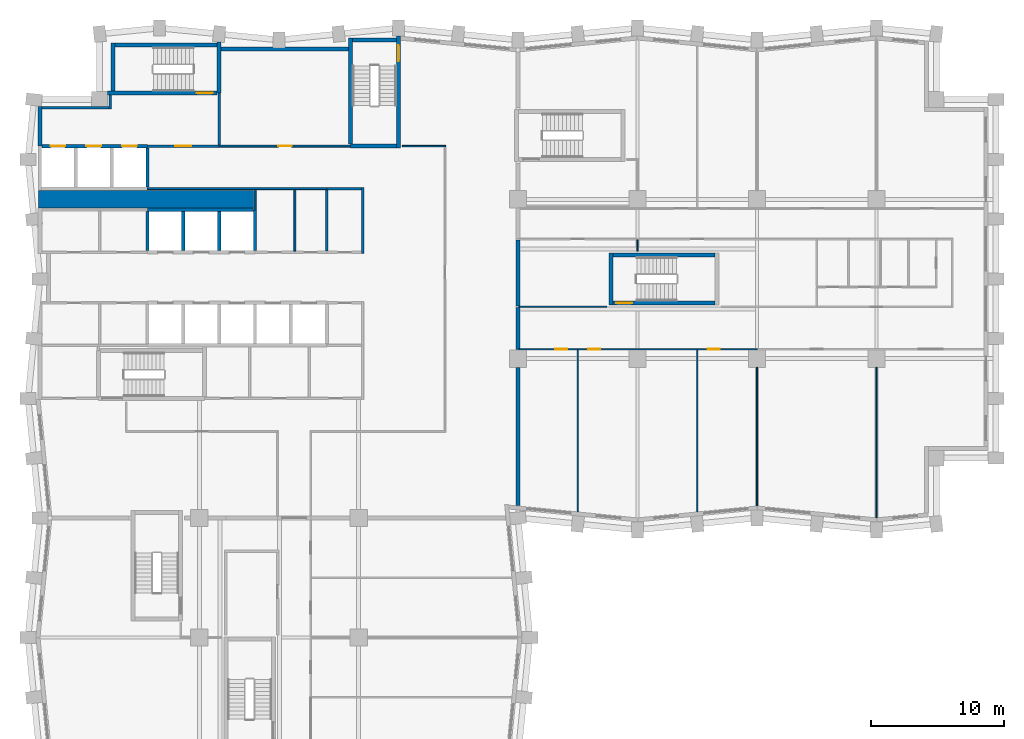
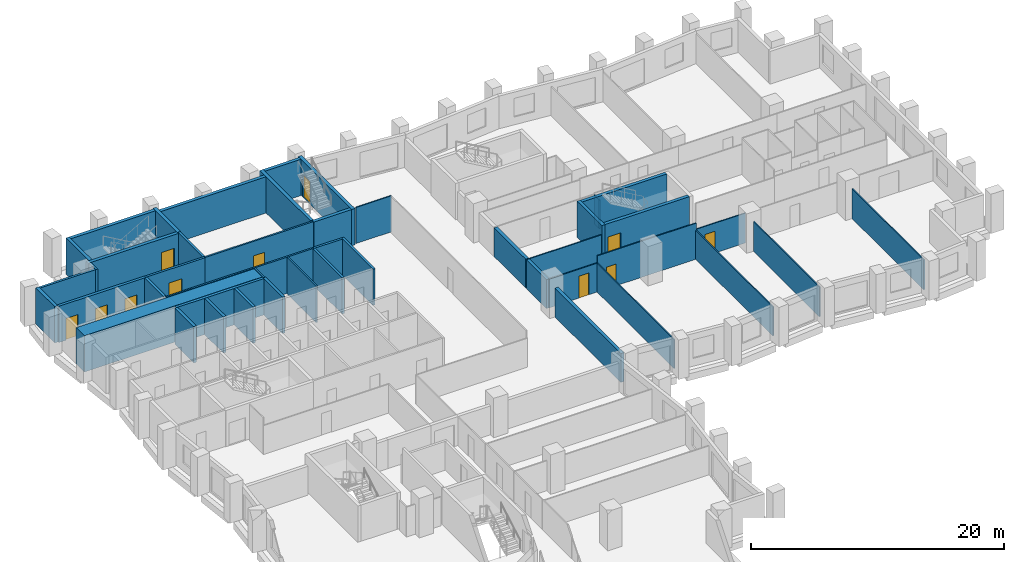
# One storey, part 6 of 11: 45 walls, 11 doors, 11 openings.
"""IFC4 building model written with IfcOpenShell, lengths in metres."""

from ifc_helpers import new_model, si_unit, direction, frame, frame_2d, origin, place, context, subcontext, project, spatial, rectangle, extrude, material, layer, layer_set, type_object, element, fill, save


model = new_model("IFC4")

# Units and contexts
model_context = context("Model", 3, precision=1e-05, world=origin(), true_north=direction((0.0, 1.0)))
body_context = subcontext(model_context, "Body", "Model", "MODEL_VIEW")
ifc_project = project(units=[si_unit("LENGTHUNIT", "METRE"), si_unit("AREAUNIT", "SQUARE_METRE"), si_unit("VOLUMEUNIT", "CUBIC_METRE"), si_unit("PLANEANGLEUNIT", "RADIAN"), si_unit("MASSUNIT", "GRAM", prefix="KILO")], contexts=[model_context])

# Site, building, storey
site_placement = place(None, origin())
site = spatial("IfcSite", under=ifc_project, at=site_placement, CompositionType="ELEMENT")
building_placement = place(site_placement, origin())
building = spatial("IfcBuilding", under=site, at=building_placement, Name="Brondeck Convention Tower", CompositionType="ELEMENT")
storey_placement = place(building_placement, frame((0.0, 0.0, 126.5)))
storey = spatial("IfcBuildingStorey", under=building, at=storey_placement, Name="L30", CompositionType="ELEMENT", Elevation=126.5)

# Walls
ifc_material_1 = material(Name="Concrete compartment wall C30/37", Category="concrete")
ifc_layer_1 = layer(ifc_material_1, 0.300048828125)
ifc_layer_set_1 = layer_set([ifc_layer_1], Name="Compartment wall 300")
wall_type_1 = type_object("IfcWallType", Name="Compartment wall 300", PredefinedType="PARTITIONING", material=ifc_layer_set_1)
wall_1_placement = place(storey_placement, frame((36.0, 27.924560546875, 0.0), z_axis=(0.0, 0.0, 1.0), x_axis=(0.0, 1.0, 0.0)))
element("IfcWall", 1, at=wall_1_placement, inside=storey, type_object=wall_type_1, Name="FLR-L30-W026", PredefinedType="PARTITIONING", context=body_context, shape_type="SweptSolid", body=[
    extrude(rectangle(XDim=10.42041015625, YDim=0.300048828125, at=frame_2d((5.210205078125, 0.0))), origin(), (0.0, 0.0, 1.0), 2.780029296875),
])
wall_2_placement = place(storey_placement, frame((36.0, 39.669921875, 0.0), z_axis=(0.0, 0.0, 1.0), x_axis=(0.0, 1.0, 0.0)))
element("IfcWall", 2, at=wall_2_placement, inside=storey, type_object=wall_type_1, Name="FLR-L30-W040", PredefinedType="PARTITIONING", context=body_context, shape_type="SweptSolid", body=[
    extrude(rectangle(XDim=3.18017578125, YDim=0.300048828125, at=frame_2d((1.590087890625, 0.0))), origin(), (0.0, 0.0, 1.0), 2.780029296875),
])
wall_3_placement = place(storey_placement, frame((36.0, 42.949951171875, 0.0), z_axis=(0.0, 0.0, 1.0), x_axis=(0.0, 1.0, 0.0)))
element("IfcWall", 3, at=wall_3_placement, inside=storey, type_object=wall_type_1, Name="FLR-L30-W044", PredefinedType="PARTITIONING", context=body_context, shape_type="SweptSolid", body=[
    extrude(rectangle(XDim=5.0, YDim=0.300048828125, at=frame_2d((2.5, 0.0))), origin(), (0.0, 0.0, 1.0), 2.780029296875),
])
ifc_material_2 = material(Name="Concrete C70/85", Category="concrete")
ifc_layer_2 = layer(ifc_material_2, 0.199951171875)
ifc_layer_set_2 = layer_set([ifc_layer_2], Name="Core beam-seat wall 200 Concrete C70/85")
wall_type_2 = type_object("IfcWallType", Name="Core beam-seat wall 200 Concrete C70/85", PredefinedType="SHEAR", material=ifc_layer_set_2)
wall_4_placement = place(storey_placement, frame((24.300048828125, 46.89990234375, 0.0), z_axis=(0.0, 0.0, 1.0), x_axis=(0.0, 1.0, 0.0)))
element("IfcWall", 4, at=wall_4_placement, inside=storey, type_object=wall_type_2, Name="L30 core wall", PredefinedType="SHEAR", context=body_context, shape_type="SweptSolid", body=[
    extrude(rectangle(XDim=5.0, YDim=0.199951171875, at=frame_2d((2.5, 0.0))), origin(), (0.0, 0.0, 1.0), 3.5),
])
ifc_layer_3 = layer(ifc_material_2, 0.300048828125)
ifc_layer_set_3 = layer_set([ifc_layer_3], Name="Core outer wall 300 Concrete C70/85")
wall_type_3 = type_object("IfcWallType", Name="Core outer wall 300 Concrete C70/85", PredefinedType="SHEAR", material=ifc_layer_set_3)
wall_5_placement = place(storey_placement, frame((13.64990234375, 62.300048828125, 0.0), z_axis=(0.0, 0.0, 1.0), x_axis=(1.0, 0.0, 0.0)))
element("IfcWall", 5, at=wall_5_placement, inside=storey, type_object=wall_type_3, Name="L30 core wall", PredefinedType="SHEAR", context=body_context, shape_type="SweptSolid", body=[
    extrude(rectangle(XDim=9.60009765625, YDim=0.300048828125, at=frame_2d((4.800048828125, 0.0))), origin(), (0.0, 0.0, 1.0), 3.5),
])
wall_6_placement = place(storey_placement, frame((0.0, 55.0, 0.0), z_axis=(0.0, 0.0, 1.0), x_axis=(0.0, 1.0, 0.0)))
element("IfcWall", 6, at=wall_6_placement, inside=storey, type_object=wall_type_3, Name="L30 core wall", PredefinedType="SHEAR", context=body_context, shape_type="SweptSolid", body=[
    extrude(rectangle(XDim=3.0, YDim=0.300048828125, at=frame_2d((1.5, 0.0))), origin(), (0.0, 0.0, 1.0), 3.5),
])
ifc_material_3 = material(Name="Fire-rated gypsum board partition")
ifc_layer_4 = layer(ifc_material_3, 0.14990234375)
ifc_layer_set_4 = layer_set([ifc_layer_4], Name="Core partition 150 EI 60")
wall_type_4 = type_object("IfcWallType", Name="Core partition 150 EI 60", PredefinedType="PARTITIONING", material=ifc_layer_set_4)
wall_7_placement = place(storey_placement, frame((8.10009765625, 51.800048828125, 0.0), z_axis=(0.0, 0.0, 1.0), x_axis=(1.0, 0.0, 0.0)))
element("IfcWall", 7, at=wall_7_placement, inside=storey, type_object=wall_type_4, Name="L30 core wall", PredefinedType="PARTITIONING", context=body_context, shape_type="SweptSolid", body=[
    extrude(rectangle(XDim=13.5, YDim=0.14990234375, at=frame_2d((6.75, 0.0))), origin(), (0.0, 0.0, 1.0), 3.5),
])

# Wall, opening, door
wall_8_placement = place(storey_placement, frame((13.5, 55.0, 0.0), z_axis=(0.0, 0.0, 1.0), x_axis=(1.0, 0.0, 0.0)))
wall_8 = element("IfcWall", 8, at=wall_8_placement, inside=storey, type_object=wall_type_4, Name="L30 core wall", PredefinedType="PARTITIONING", context=body_context, shape_type="SweptSolid", body=[
    extrude(rectangle(XDim=9.89990234375, YDim=0.14990234375, at=frame_2d((4.949951171875, 0.0))), origin(), (0.0, 0.0, 1.0), 3.5),
])
opening_1_placement = place(wall_8_placement, frame((4.449951171875, 0.0, 0.0)))
opening_1 = element("IfcOpeningElement", 9, at=opening_1_placement, cuts=wall_8, Name="Opening C17-14", PredefinedType="OPENING", context=body_context, shape_type="SweptSolid", body=[
    extrude(rectangle(XDim=1.0, YDim=2.10009765625, at=frame_2d((0.5, 1.050048828125))), frame((0.0, 0.0849609375, 0.0), z_axis=(0.0, -1.0, 0.0), x_axis=(1.0, 0.0, 0.0)), (0.0, 0.0, 1.0), 0.169921875),
])
ifc_material_4 = material(Name="Steel fire door", Category="steel")
door_type_1 = type_object("IfcDoorType", Name="Room door 1000x2100 EI 60", OperationType="NOTDEFINED", PredefinedType="DOOR", material=ifc_material_4)
door_1_placement = place(opening_1_placement, origin())
door_1 = element("IfcDoor", 10, at=door_1_placement, inside=storey, type_object=door_type_1, Name="L30 Room door NE-1", OperationType="SINGLE_SWING_LEFT", OverallHeight=2.10009765625, OverallWidth=1.0, PredefinedType="DOOR", context=body_context, shape_type="SweptSolid", body=[
    extrude(rectangle(XDim=1.0, YDim=2.10009765625, at=frame_2d((0.5, 1.050048828125))), frame((0.0, 0.02490234375, 0.0), z_axis=(0.0, -1.0, 0.0), x_axis=(1.0, 0.0, 0.0)), (0.0, 0.0, 1.0), 0.050048828125),
])
fill(opening_1, door_1)

# Walls
wall_9_placement = place(storey_placement, frame((16.199951171875, 50.199951171875, 0.0), z_axis=(0.0, 0.0, 1.0), x_axis=(0.0, 1.0, 0.0)))
element("IfcWall", 11, at=wall_9_placement, inside=storey, type_object=wall_type_4, Name="L30 core wall", PredefinedType="PARTITIONING", context=body_context, shape_type="SweptSolid", body=[
    extrude(rectangle(XDim=1.525146484375, YDim=0.14990234375, at=frame_2d((0.7626953125, 0.0))), origin(), (0.0, 0.0, 1.0), 3.5),
])
wall_10_placement = place(storey_placement, frame((19.199951171875, 47.10009765625, 0.0), z_axis=(0.0, 0.0, 1.0), x_axis=(0.0, 1.0, 0.0)))
element("IfcWall", 12, at=wall_10_placement, inside=storey, type_object=wall_type_4, Name="L30 core wall", PredefinedType="PARTITIONING", context=body_context, shape_type="SweptSolid", body=[
    extrude(rectangle(XDim=4.625, YDim=0.14990234375, at=frame_2d((2.3125, 0.0))), origin(), (0.0, 0.0, 1.0), 3.5),
])
ifc_layer_5 = layer(ifc_material_2, 1.300048828125)
ifc_layer_set_5 = layer_set([ifc_layer_5], Name="Core shear wall 1300 Concrete C70/85")
wall_type_5 = type_object("IfcWallType", Name="Core shear wall 1300 Concrete C70/85", PredefinedType="SHEAR", material=ifc_layer_set_5)
wall_11_placement = place(storey_placement, frame((-0.125, 51.0, 0.0), z_axis=(0.0, 0.0, 1.0), x_axis=(1.0, 0.0, 0.0)))
element("IfcWall", 13, at=wall_11_placement, inside=storey, type_object=wall_type_5, Name="L30 core wall", PredefinedType="SHEAR", context=body_context, shape_type="SweptSolid", body=[
    extrude(rectangle(XDim=16.22509765625, YDim=1.300048828125, at=frame_2d((8.112548828125, 0.0))), origin(), (0.0, 0.0, 1.0), 3.5),
])

# Wall, opening, door
ifc_layer_6 = layer(ifc_material_3, 0.199951171875)
ifc_layer_set_6 = layer_set([ifc_layer_6], Name="Firefighting lobby wall 200 EI 120")
wall_type_6 = type_object("IfcWallType", Name="Firefighting lobby wall 200 EI 120", PredefinedType="PARTITIONING", material=ifc_layer_set_6)
wall_12_placement = place(storey_placement, frame((8.10009765625, 55.0, 0.0), z_axis=(0.0, 0.0, 1.0), x_axis=(1.0, 0.0, 0.0)))
wall_12 = element("IfcWall", 14, at=wall_12_placement, inside=storey, type_object=wall_type_6, Name="L30 core wall", PredefinedType="PARTITIONING", context=body_context, shape_type="SweptSolid", body=[
    extrude(rectangle(XDim=5.39990234375, YDim=0.199951171875, at=frame_2d((2.699951171875, 0.0))), origin(), (0.0, 0.0, 1.0), 3.5),
])
opening_2_placement = place(wall_12_placement, frame((2.10009765625, 0.0, 0.0)))
opening_2 = element("IfcOpeningElement", 15, at=opening_2_placement, cuts=wall_12, Name="Opening C17-01", PredefinedType="OPENING", context=body_context, shape_type="SweptSolid", body=[
    extrude(rectangle(XDim=1.199951171875, YDim=2.199951171875, at=frame_2d((0.60009765625, 1.10009765625))), frame((0.0, 0.10986328125, 0.0), z_axis=(0.0, -1.0, 0.0), x_axis=(1.0, 0.0, 0.0)), (0.0, 0.0, 1.0), 0.219970703125),
])
door_type_2 = type_object("IfcDoorType", Name="Firefighting lobby door 1200x2200 EI 120", OperationType="NOTDEFINED", PredefinedType="DOOR", material=ifc_material_4)
door_2_placement = place(opening_2_placement, origin())
door_2 = element("IfcDoor", 16, at=door_2_placement, inside=storey, type_object=door_type_2, Name="L30 Firefighting lobby door FFL-1", OperationType="SINGLE_SWING_RIGHT", OverallHeight=2.199951171875, OverallWidth=1.199951171875, PredefinedType="DOOR", context=body_context, shape_type="SweptSolid", body=[
    extrude(rectangle(XDim=1.199951171875, YDim=2.199951171875, at=frame_2d((0.60009765625, 1.10009765625))), frame((0.0, 0.02490234375, 0.0), z_axis=(0.0, -1.0, 0.0), x_axis=(1.0, 0.0, 0.0)), (0.0, 0.0, 1.0), 0.050048828125),
])
fill(opening_2, door_2)

# Walls
wall_13_placement = place(storey_placement, frame((0.14990234375, 57.89990234375, 0.0), z_axis=(0.0, 0.0, 1.0), x_axis=(1.0, 0.0, 0.0)))
element("IfcWall", 17, at=wall_13_placement, inside=storey, type_object=wall_type_6, Name="L30 core wall", PredefinedType="PARTITIONING", context=body_context, shape_type="SweptSolid", body=[
    extrude(rectangle(XDim=5.050048828125, YDim=0.199951171875, at=frame_2d((2.52490234375, 0.0))), origin(), (0.0, 0.0, 1.0), 3.5),
])
wall_14_placement = place(storey_placement, frame((5.300048828125, 57.800048828125, 0.0), z_axis=(0.0, 0.0, 1.0), x_axis=(0.0, 1.0, 0.0)))
element("IfcWall", 18, at=wall_14_placement, inside=storey, type_object=wall_type_6, Name="L30 core wall", PredefinedType="PARTITIONING", context=body_context, shape_type="SweptSolid", body=[
    extrude(rectangle(XDim=1.050048828125, YDim=0.199951171875, at=frame_2d((0.52490234375, 0.0))), origin(), (0.0, 0.0, 1.0), 3.5),
])
wall_15_placement = place(storey_placement, frame((13.5, 55.10009765625, 0.0), z_axis=(0.0, 0.0, 1.0), x_axis=(0.0, 1.0, 0.0)))
element("IfcWall", 19, at=wall_15_placement, inside=storey, type_object=wall_type_6, Name="L30 core wall", PredefinedType="PARTITIONING", context=body_context, shape_type="SweptSolid", body=[
    extrude(rectangle(XDim=3.89990234375, YDim=0.199951171875, at=frame_2d((1.949951171875, 0.0))), origin(), (0.0, 0.0, 1.0), 3.5),
])
ifc_layer_7 = layer(ifc_material_2, 0.25)
ifc_layer_set_7 = layer_set([ifc_layer_7], Name="Lift shaft wall 250 Concrete C70/85")
wall_type_7 = type_object("IfcWallType", Name="Lift shaft wall 250 Concrete C70/85", PredefinedType="SHEAR", material=ifc_layer_set_7)
wall_16_placement = place(storey_placement, frame((8.10009765625, 50.199951171875, 0.0), z_axis=(0.0, 0.0, 1.0), x_axis=(1.0, 0.0, 0.0)))
element("IfcWall", 20, at=wall_16_placement, inside=storey, type_object=wall_type_7, Name="L30 core wall", PredefinedType="SHEAR", context=body_context, shape_type="SweptSolid", body=[
    extrude(rectangle(XDim=7.974853515625, YDim=0.25, at=frame_2d((3.9873046875, 0.0))), origin(), (0.0, 0.0, 1.0), 3.5),
])

# Wall, openings, doors
wall_17_placement = place(storey_placement, frame((0.14990234375, 55.0, 0.0), z_axis=(0.0, 0.0, 1.0), x_axis=(1.0, 0.0, 0.0)))
wall_17 = element("IfcWall", 21, at=wall_17_placement, inside=storey, type_object=wall_type_7, Name="L30 core wall", PredefinedType="SHEAR", context=body_context, shape_type="SweptSolid", body=[
    extrude(rectangle(XDim=7.9501953125, YDim=0.25, at=frame_2d((3.97509765625, 0.0))), origin(), (0.0, 0.0, 1.0), 3.5),
])
opening_3_placement = place(wall_17_placement, frame((0.64990234375, 0.0, 0.0)))
opening_3 = element("IfcOpeningElement", 22, at=opening_3_placement, cuts=wall_17, Name="Opening C17-22", PredefinedType="OPENING", context=body_context, shape_type="SweptSolid", body=[
    extrude(rectangle(XDim=1.10009765625, YDim=2.10009765625, at=frame_2d((0.550048828125, 1.050048828125))), frame((0.0, 0.135009765625, 0.0), z_axis=(0.0, -1.0, 0.0), x_axis=(1.0, 0.0, 0.0)), (0.0, 0.0, 1.0), 0.27001953125),
])
opening_4_placement = place(wall_17_placement, frame((3.35009765625, 0.0, 0.0)))
opening_4 = element("IfcOpeningElement", 23, at=opening_4_placement, cuts=wall_17, Name="Opening C17-23", PredefinedType="OPENING", context=body_context, shape_type="SweptSolid", body=[
    extrude(rectangle(XDim=1.10009765625, YDim=2.10009765625, at=frame_2d((0.550048828125, 1.050048828125))), frame((0.0, 0.135009765625, 0.0), z_axis=(0.0, -1.0, 0.0), x_axis=(1.0, 0.0, 0.0)), (0.0, 0.0, 1.0), 0.27001953125),
])
opening_5_placement = place(wall_17_placement, frame((6.050048828125, 0.0, 0.0)))
opening_5 = element("IfcOpeningElement", 24, at=opening_5_placement, cuts=wall_17, Name="Opening C17-24", PredefinedType="OPENING", context=body_context, shape_type="SweptSolid", body=[
    extrude(rectangle(XDim=1.10009765625, YDim=2.10009765625, at=frame_2d((0.550048828125, 1.050048828125))), frame((0.0, 0.135009765625, 0.0), z_axis=(0.0, -1.0, 0.0), x_axis=(1.0, 0.0, 0.0)), (0.0, 0.0, 1.0), 0.27001953125),
])
ifc_material_5 = material(Name="Stainless steel lift door", Category="steel")
door_type_3 = type_object("IfcDoorType", Name="Lift landing door 1100x2100 EI 180", OperationType="DOUBLE_DOOR_SLIDING", PredefinedType="DOOR", material=ifc_material_5)
door_3_placement = place(opening_3_placement, origin())
door_3 = element("IfcDoor", 25, at=door_3_placement, inside=storey, type_object=door_type_3, Name="L30 Lift landing door FF1", OperationType="DOUBLE_DOOR_SLIDING", OverallHeight=2.10009765625, OverallWidth=1.10009765625, PredefinedType="DOOR", context=body_context, shape_type="SweptSolid", body=[
    extrude(rectangle(XDim=1.10009765625, YDim=2.10009765625, at=frame_2d((0.550048828125, 1.050048828125))), frame((0.0, 0.02490234375, 0.0), z_axis=(0.0, -1.0, 0.0), x_axis=(1.0, 0.0, 0.0)), (0.0, 0.0, 1.0), 0.050048828125),
])
fill(opening_3, door_3)
door_4_placement = place(opening_4_placement, origin())
door_4 = element("IfcDoor", 26, at=door_4_placement, inside=storey, type_object=door_type_3, Name="L30 Lift landing door FF2", OperationType="DOUBLE_DOOR_SLIDING", OverallHeight=2.10009765625, OverallWidth=1.10009765625, PredefinedType="DOOR", context=body_context, shape_type="SweptSolid", body=[
    extrude(rectangle(XDim=1.10009765625, YDim=2.10009765625, at=frame_2d((0.550048828125, 1.050048828125))), frame((0.0, 0.02490234375, 0.0), z_axis=(0.0, -1.0, 0.0), x_axis=(1.0, 0.0, 0.0)), (0.0, 0.0, 1.0), 0.050048828125),
])
fill(opening_4, door_4)
door_5_placement = place(opening_5_placement, origin())
door_5 = element("IfcDoor", 27, at=door_5_placement, inside=storey, type_object=door_type_3, Name="L30 Lift landing door FF3", OperationType="DOUBLE_DOOR_SLIDING", OverallHeight=2.10009765625, OverallWidth=1.10009765625, PredefinedType="DOOR", context=body_context, shape_type="SweptSolid", body=[
    extrude(rectangle(XDim=1.10009765625, YDim=2.10009765625, at=frame_2d((0.550048828125, 1.050048828125))), frame((0.0, 0.02490234375, 0.0), z_axis=(0.0, -1.0, 0.0), x_axis=(1.0, 0.0, 0.0)), (0.0, 0.0, 1.0), 0.050048828125),
])
fill(opening_5, door_5)

# Walls
for number, where, z_axis, x_axis, name in (
    (28, (8.10009765625, 47.125, 0.0), (0.0, 0.0, 1.0), (0.0, 1.0, 0.0), "L30 core wall"),
    (29, (8.10009765625, 51.925048828125, 0.0), (0.0, 0.0, 1.0), (0.0, 1.0, 0.0), "L30 core wall"),
    (30, (10.800048828125, 47.125, 0.0), (0.0, 0.0, 1.0), (0.0, 1.0, 0.0), "L30 core wall"),
    (31, (13.5, 47.125, 0.0), (0.0, 0.0, 1.0), (0.0, 1.0, 0.0), "L30 core wall"),
):
    element("IfcWall", number, at=place(storey_placement, frame(where, z_axis=z_axis, x_axis=x_axis)), inside=storey, type_object=wall_type_7, Name=name, PredefinedType="SHEAR", context=body_context, shape_type="SweptSolid", body=[
        extrude(rectangle(XDim=2.949951171875, YDim=0.25, at=frame_2d((1.47509765625, 0.0))), origin(), (0.0, 0.0, 1.0), 3.5),
    ])
wall_18_placement = place(storey_placement, frame((16.199951171875, 47.125, 0.0), z_axis=(0.0, 0.0, 1.0), x_axis=(0.0, 1.0, 0.0)))
element("IfcWall", 32, at=wall_18_placement, inside=storey, type_object=wall_type_7, Name="L30 core wall", PredefinedType="SHEAR", context=body_context, shape_type="SweptSolid", body=[
    extrude(rectangle(XDim=3.074951171875, YDim=0.25, at=frame_2d((1.53759765625, 0.0))), origin(), (0.0, 0.0, 1.0), 3.5),
])
ifc_layer_8 = layer(ifc_material_3, 0.199951171875)
ifc_layer_set_8 = layer_set([ifc_layer_8], Name="Riser wall 200 EI 120")
wall_type_8 = type_object("IfcWallType", Name="Riser wall 200 EI 120", PredefinedType="PARTITIONING", material=ifc_layer_set_8)
wall_19_placement = place(storey_placement, frame((21.60009765625, 51.800048828125, 0.0), z_axis=(0.0, 0.0, 1.0), x_axis=(1.0, 0.0, 0.0)))
element("IfcWall", 33, at=wall_19_placement, inside=storey, type_object=wall_type_8, Name="L30 core wall", PredefinedType="PARTITIONING", context=body_context, shape_type="SweptSolid", body=[
    extrude(rectangle(XDim=2.599853515625, YDim=0.199951171875, at=frame_2d((1.2998046875, 0.0))), origin(), (0.0, 0.0, 1.0), 3.5),
])
wall_20_placement = place(storey_placement, frame((21.60009765625, 47.10009765625, 0.0), z_axis=(0.0, 0.0, 1.0), x_axis=(0.0, 1.0, 0.0)))
element("IfcWall", 34, at=wall_20_placement, inside=storey, type_object=wall_type_8, Name="L30 core wall", PredefinedType="PARTITIONING", context=body_context, shape_type="SweptSolid", body=[
    extrude(rectangle(XDim=4.599853515625, YDim=0.199951171875, at=frame_2d((2.2998046875, 0.0))), origin(), (0.0, 0.0, 1.0), 3.5),
])
ifc_material_6 = material(Name="Gypsum board partition on steel studs", Category="steel")
ifc_layer_9 = layer(ifc_material_6, 0.10009765625)
ifc_layer_set_9 = layer_set([ifc_layer_9], Name="Room partition 100")
wall_type_9 = type_object("IfcWallType", Name="Room partition 100", PredefinedType="PARTITIONING", material=ifc_layer_set_9)
wall_21_placement = place(storey_placement, frame((54.0, 38.344970703125, 0.0), z_axis=(0.0, 0.0, 1.0), x_axis=(0.0, -1.0, 0.0)))
element("IfcWall", 35, at=wall_21_placement, inside=storey, type_object=wall_type_9, Name="FLR-L30-W031", PredefinedType="PARTITIONING", context=body_context, shape_type="SweptSolid", body=[
    extrude(rectangle(XDim=10.42041015625, YDim=0.10009765625, at=frame_2d((5.210205078125, 0.0))), origin(), (0.0, 0.0, 1.0), 2.8798828125),
])
wall_22_placement = place(storey_placement, frame((63.0, 38.344970703125, 0.0), z_axis=(0.0, 0.0, 1.0), x_axis=(0.0, -1.0, 0.0)))
element("IfcWall", 36, at=wall_22_placement, inside=storey, type_object=wall_type_9, Name="FLR-L30-W032", PredefinedType="PARTITIONING", context=body_context, shape_type="SweptSolid", body=[
    extrude(rectangle(XDim=11.320556640625, YDim=0.10009765625, at=frame_2d((5.66015625, 0.0))), origin(), (0.0, 0.0, 1.0), 2.8798828125),
])
for number, where, z_axis, x_axis, name in (
    (37, (40.5, 39.64990234375, 0.0), (0.0, 0.0, 1.0), (0.0, -1.0, 0.0), "FLR-L30-W033"),
    (38, (49.5, 39.64990234375, 0.0), (0.0, 0.0, 1.0), (0.0, -1.0, 0.0), "FLR-L30-W034"),
):
    element("IfcWall", number, at=place(storey_placement, frame(where, z_axis=z_axis, x_axis=x_axis)), inside=storey, type_object=wall_type_9, Name=name, PredefinedType="PARTITIONING", context=body_context, shape_type="SweptSolid", body=[
        extrude(rectangle(XDim=12.17529296875, YDim=0.10009765625, at=frame_2d((6.087646484375, 0.0))), origin(), (0.0, 0.0, 1.0), 2.780029296875),
    ])

# Wall, opening, door
wall_23_placement = place(storey_placement, frame((40.5, 39.699951171875, 0.0), z_axis=(0.0, 0.0, 1.0), x_axis=(-1.0, 0.0, 0.0)))
wall_23 = element("IfcWall", 39, at=wall_23_placement, inside=storey, type_object=wall_type_9, Name="FLR-L30-W035", PredefinedType="PARTITIONING", context=body_context, shape_type="SweptSolid", body=[
    extrude(rectangle(XDim=4.449951171875, YDim=0.10009765625, at=frame_2d((2.22509765625, 0.0))), origin(), (0.0, 0.0, 1.0), 2.780029296875),
])
opening_6_placement = place(wall_23_placement, frame((0.801025390625, 0.0, 0.0)))
opening_6 = element("IfcOpeningElement", 40, at=opening_6_placement, cuts=wall_23, Name="Opening OF-D-009", PredefinedType="OPENING", context=body_context, shape_type="SweptSolid", body=[
    extrude(rectangle(XDim=0.89990234375, YDim=2.10009765625, at=frame_2d((0.449951171875, 1.050048828125))), frame((0.0, 0.06005859375, 0.0), z_axis=(0.0, -1.0, 0.0), x_axis=(1.0, 0.0, 0.0)), (0.0, 0.0, 1.0), 0.1201171875),
])
ifc_material_7 = material(Name="Solid timber door leaf", Category="wood")
door_type_4 = type_object("IfcDoorType", Name="Single door 900", OperationType="NOTDEFINED", PredefinedType="DOOR", material=ifc_material_7)
door_6_placement = place(opening_6_placement, origin())
door_6 = element("IfcDoor", 41, at=door_6_placement, inside=storey, type_object=door_type_4, Name="Door OF-D-009", OperationType="SINGLE_SWING_LEFT", OverallHeight=2.10009765625, OverallWidth=0.89990234375, PredefinedType="DOOR", context=body_context, shape_type="SweptSolid", body=[
    extrude(rectangle(XDim=0.89990234375, YDim=2.10009765625, at=frame_2d((0.449951171875, 1.050048828125))), frame((0.0, 0.02490234375, 0.0), z_axis=(0.0, -1.0, 0.0), x_axis=(1.0, 0.0, 0.0)), (0.0, 0.0, 1.0), 0.050048828125),
])
fill(opening_6, door_6)

wall_24_placement = place(storey_placement, frame((49.5, 39.699951171875, 0.0), z_axis=(0.0, 0.0, 1.0), x_axis=(-1.0, 0.0, 0.0)))
wall_24 = element("IfcWall", 42, at=wall_24_placement, inside=storey, type_object=wall_type_9, Name="FLR-L30-W036", PredefinedType="PARTITIONING", context=body_context, shape_type="SweptSolid", body=[
    extrude(rectangle(XDim=9.0, YDim=0.10009765625, at=frame_2d((4.5, 0.0))), origin(), (0.0, 0.0, 1.0), 3.47998046875),
])
opening_7_placement = place(wall_24_placement, frame((7.299072265625, 0.0, 0.0)))
opening_7 = element("IfcOpeningElement", 43, at=opening_7_placement, cuts=wall_24, Name="Opening OF-D-010", PredefinedType="OPENING", context=body_context, shape_type="SweptSolid", body=[
    extrude(rectangle(XDim=0.89990234375, YDim=2.10009765625, at=frame_2d((0.449951171875, 1.050048828125))), frame((0.0, 0.06005859375, 0.0), z_axis=(0.0, -1.0, 0.0), x_axis=(1.0, 0.0, 0.0)), (0.0, 0.0, 1.0), 0.1201171875),
])
door_7_placement = place(opening_7_placement, origin())
door_7 = element("IfcDoor", 44, at=door_7_placement, inside=storey, type_object=door_type_4, Name="Door OF-D-010", OperationType="SINGLE_SWING_LEFT", OverallHeight=2.10009765625, OverallWidth=0.89990234375, PredefinedType="DOOR", context=body_context, shape_type="SweptSolid", body=[
    extrude(rectangle(XDim=0.89990234375, YDim=2.10009765625, at=frame_2d((0.449951171875, 1.050048828125))), frame((0.0, 0.02490234375, 0.0), z_axis=(0.0, -1.0, 0.0), x_axis=(1.0, 0.0, 0.0)), (0.0, 0.0, 1.0), 0.050048828125),
])
fill(opening_7, door_7)

wall_25_placement = place(storey_placement, frame((54.0, 39.699951171875, 0.0), z_axis=(0.0, 0.0, 1.0), x_axis=(-1.0, 0.0, 0.0)))
wall_25 = element("IfcWall", 45, at=wall_25_placement, inside=storey, type_object=wall_type_9, Name="FLR-L30-W037", PredefinedType="PARTITIONING", context=body_context, shape_type="SweptSolid", body=[
    extrude(rectangle(XDim=4.5, YDim=0.10009765625, at=frame_2d((2.25, 0.0))), origin(), (0.0, 0.0, 1.0), 2.8798828125),
])
opening_8_placement = place(wall_25_placement, frame((2.799072265625, 0.0, 0.0)))
opening_8 = element("IfcOpeningElement", 46, at=opening_8_placement, cuts=wall_25, Name="Opening OF-D-011", PredefinedType="OPENING", context=body_context, shape_type="SweptSolid", body=[
    extrude(rectangle(XDim=0.89990234375, YDim=2.10009765625, at=frame_2d((0.449951171875, 1.050048828125))), frame((0.0, 0.06005859375, 0.0), z_axis=(0.0, -1.0, 0.0), x_axis=(1.0, 0.0, 0.0)), (0.0, 0.0, 1.0), 0.1201171875),
])
door_8_placement = place(opening_8_placement, origin())
door_8 = element("IfcDoor", 47, at=door_8_placement, inside=storey, type_object=door_type_4, Name="Door OF-D-011", OperationType="SINGLE_SWING_LEFT", OverallHeight=2.10009765625, OverallWidth=0.89990234375, PredefinedType="DOOR", context=body_context, shape_type="SweptSolid", body=[
    extrude(rectangle(XDim=0.89990234375, YDim=2.10009765625, at=frame_2d((0.449951171875, 1.050048828125))), frame((0.0, 0.02490234375, 0.0), z_axis=(0.0, -1.0, 0.0), x_axis=(1.0, 0.0, 0.0)), (0.0, 0.0, 1.0), 0.050048828125),
])
fill(opening_8, door_8)

# Walls
wall_26_placement = place(storey_placement, frame((36.050048828125, 42.89990234375, 0.0), z_axis=(0.0, 0.0, 1.0), x_axis=(1.0, 0.0, 0.0)))
element("IfcWall", 48, at=wall_26_placement, inside=storey, type_object=wall_type_9, Name="FLR-L30-W041", PredefinedType="PARTITIONING", context=body_context, shape_type="SweptSolid", body=[
    extrude(rectangle(XDim=6.64990234375, YDim=0.10009765625, at=frame_2d((3.324951171875, 0.0))), origin(), (0.0, 0.0, 1.0), 2.780029296875),
])
wall_27_placement = place(storey_placement, frame((45.0, 47.949951171875, 0.0), z_axis=(0.0, 0.0, 1.0), x_axis=(0.0, -1.0, 0.0)))
element("IfcWall", 49, at=wall_27_placement, inside=storey, type_object=wall_type_9, Name="FLR-L30-W052", PredefinedType="PARTITIONING", context=body_context, shape_type="SweptSolid", body=[
    extrude(rectangle(XDim=0.849853515625, YDim=0.10009765625, at=frame_2d((0.4248046875, 0.0))), origin(), (0.0, 0.0, 1.0), 2.780029296875),
])
wall_28_placement = place(storey_placement, frame((27.300048828125, 55.0, 0.0), z_axis=(0.0, 0.0, 1.0), x_axis=(1.0, 0.0, 0.0)))
element("IfcWall", 50, at=wall_28_placement, inside=storey, type_object=wall_type_9, Name="FLR-L30-W075", PredefinedType="PARTITIONING", context=body_context, shape_type="SweptSolid", body=[
    extrude(rectangle(XDim=3.25, YDim=0.10009765625, at=frame_2d((1.625, 0.0))), origin(), (0.0, 0.0, 1.0), 3.47998046875),
])

# Wall, opening, door
ifc_layer_10 = layer(ifc_material_2, 0.300048828125)
ifc_layer_set_10 = layer_set([ifc_layer_10], Name="Stair enclosure wall 300 Concrete C70/85")
wall_type_10 = type_object("IfcWallType", Name="Stair enclosure wall 300 Concrete C70/85", PredefinedType="SHEAR", material=ifc_layer_set_10)
wall_29_placement = place(storey_placement, frame((43.14990234375, 43.199951171875, 0.0), z_axis=(0.0, 0.0, 1.0), x_axis=(1.0, 0.0, 0.0)))
wall_29 = element("IfcWall", 51, at=wall_29_placement, inside=storey, type_object=wall_type_10, Name="L30 core wall", PredefinedType="SHEAR", context=body_context, shape_type="SweptSolid", body=[
    extrude(rectangle(XDim=7.7001953125, YDim=0.300048828125, at=frame_2d((3.85009765625, 0.0))), origin(), (0.0, 0.0, 1.0), 3.5),
])
opening_9_placement = place(wall_29_placement, frame((0.25, 0.0, 0.0)))
opening_9 = element("IfcOpeningElement", 52, at=opening_9_placement, cuts=wall_29, Name="Opening C17-19", PredefinedType="OPENING", context=body_context, shape_type="SweptSolid", body=[
    extrude(rectangle(XDim=1.199951171875, YDim=2.199951171875, at=frame_2d((0.60009765625, 1.10009765625))), frame((0.0, 0.159912109375, 0.0), z_axis=(0.0, -1.0, 0.0), x_axis=(1.0, 0.0, 0.0)), (0.0, 0.0, 1.0), 0.320068359375),
])
door_type_5 = type_object("IfcDoorType", Name="Stair door 1200x2200 EI 90", OperationType="NOTDEFINED", PredefinedType="DOOR", material=ifc_material_4)
door_9_placement = place(opening_9_placement, origin())
door_9 = element("IfcDoor", 53, at=door_9_placement, inside=storey, type_object=door_type_5, Name="L30 Stair door ST-AF", OperationType="SINGLE_SWING_RIGHT", OverallHeight=2.199951171875, OverallWidth=1.199951171875, PredefinedType="DOOR", context=body_context, shape_type="SweptSolid", body=[
    extrude(rectangle(XDim=1.199951171875, YDim=2.199951171875, at=frame_2d((0.60009765625, 1.10009765625))), frame((0.0, 0.02490234375, 0.0), z_axis=(0.0, -1.0, 0.0), x_axis=(1.0, 0.0, 0.0)), (0.0, 0.0, 1.0), 0.050048828125),
])
fill(opening_9, door_9)

# Walls
wall_30_placement = place(storey_placement, frame((43.14990234375, 46.800048828125, 0.0), z_axis=(0.0, 0.0, 1.0), x_axis=(1.0, 0.0, 0.0)))
element("IfcWall", 54, at=wall_30_placement, inside=storey, type_object=wall_type_10, Name="L30 core wall", PredefinedType="SHEAR", context=body_context, shape_type="SweptSolid", body=[
    extrude(rectangle(XDim=7.7001953125, YDim=0.300048828125, at=frame_2d((3.85009765625, 0.0))), origin(), (0.0, 0.0, 1.0), 3.5),
])
wall_31_placement = place(storey_placement, frame((23.39990234375, 55.0, 0.0), z_axis=(0.0, 0.0, 1.0), x_axis=(1.0, 0.0, 0.0)))
element("IfcWall", 55, at=wall_31_placement, inside=storey, type_object=wall_type_10, Name="L30 core wall", PredefinedType="SHEAR", context=body_context, shape_type="SweptSolid", body=[
    extrude(rectangle(XDim=3.4501953125, YDim=0.300048828125, at=frame_2d((1.72509765625, 0.0))), origin(), (0.0, 0.0, 1.0), 3.5),
])

# Wall, opening, door
wall_32_placement = place(storey_placement, frame((5.10009765625, 59.0, 0.0), z_axis=(0.0, 0.0, 1.0), x_axis=(1.0, 0.0, 0.0)))
wall_32 = element("IfcWall", 56, at=wall_32_placement, inside=storey, type_object=wall_type_10, Name="L30 core wall", PredefinedType="SHEAR", context=body_context, shape_type="SweptSolid", body=[
    extrude(rectangle(XDim=8.25, YDim=0.300048828125, at=frame_2d((4.125, 0.0))), origin(), (0.0, 0.0, 1.0), 3.5),
])
opening_10_placement = place(wall_32_placement, frame((6.699951171875, 0.0, 0.0)))
opening_10 = element("IfcOpeningElement", 57, at=opening_10_placement, cuts=wall_32, Name="Opening C17-17", PredefinedType="OPENING", context=body_context, shape_type="SweptSolid", body=[
    extrude(rectangle(XDim=1.199951171875, YDim=2.199951171875, at=frame_2d((0.60009765625, 1.10009765625))), frame((0.0, 0.159912109375, 0.0), z_axis=(0.0, -1.0, 0.0), x_axis=(1.0, 0.0, 0.0)), (0.0, 0.0, 1.0), 0.320068359375),
])
door_type_6 = type_object("IfcDoorType", Name="Stair door 1200x2200 EI 120", OperationType="NOTDEFINED", PredefinedType="DOOR", material=ifc_material_4)
door_10_placement = place(opening_10_placement, origin())
door_10 = element("IfcDoor", 58, at=door_10_placement, inside=storey, type_object=door_type_6, Name="L30 Stair door ST-3", OperationType="SINGLE_SWING_RIGHT", OverallHeight=2.199951171875, OverallWidth=1.199951171875, PredefinedType="DOOR", context=body_context, shape_type="SweptSolid", body=[
    extrude(rectangle(XDim=1.199951171875, YDim=2.199951171875, at=frame_2d((0.60009765625, 1.10009765625))), frame((0.0, 0.02490234375, 0.0), z_axis=(0.0, -1.0, 0.0), x_axis=(1.0, 0.0, 0.0)), (0.0, 0.0, 1.0), 0.050048828125),
])
fill(opening_10, door_10)

# Walls
wall_33_placement = place(storey_placement, frame((5.64990234375, 62.60009765625, 0.0), z_axis=(0.0, 0.0, 1.0), x_axis=(1.0, 0.0, 0.0)))
element("IfcWall", 59, at=wall_33_placement, inside=storey, type_object=wall_type_10, Name="L30 core wall", PredefinedType="SHEAR", context=body_context, shape_type="SweptSolid", body=[
    extrude(rectangle(XDim=7.7001953125, YDim=0.300048828125, at=frame_2d((3.85009765625, 0.0))), origin(), (0.0, 0.0, 1.0), 3.5),
])
wall_34_placement = place(storey_placement, frame((23.550048828125, 63.0, 0.0), z_axis=(0.0, 0.0, 1.0), x_axis=(1.0, 0.0, 0.0)))
element("IfcWall", 60, at=wall_34_placement, inside=storey, type_object=wall_type_10, Name="L30 core wall", PredefinedType="SHEAR", context=body_context, shape_type="SweptSolid", body=[
    extrude(rectangle(XDim=3.300048828125, YDim=0.300048828125, at=frame_2d((1.64990234375, 0.0))), origin(), (0.0, 0.0, 1.0), 3.5),
])
wall_35_placement = place(storey_placement, frame((5.5, 59.14990234375, 0.0), z_axis=(0.0, 0.0, 1.0), x_axis=(0.0, 1.0, 0.0)))
element("IfcWall", 61, at=wall_35_placement, inside=storey, type_object=wall_type_10, Name="L30 core wall", PredefinedType="SHEAR", context=body_context, shape_type="SweptSolid", body=[
    extrude(rectangle(XDim=3.60009765625, YDim=0.300048828125, at=frame_2d((1.800048828125, 0.0))), origin(), (0.0, 0.0, 1.0), 3.5),
])
wall_36_placement = place(storey_placement, frame((13.5, 59.0, 0.0), z_axis=(0.0, 0.0, 1.0), x_axis=(0.0, 1.0, 0.0)))
element("IfcWall", 62, at=wall_36_placement, inside=storey, type_object=wall_type_10, Name="L30 core wall", PredefinedType="SHEAR", context=body_context, shape_type="SweptSolid", body=[
    extrude(rectangle(XDim=3.846923828125, YDim=0.300048828125, at=frame_2d((1.92333984375, 0.0))), origin(), (0.0, 0.0, 1.0), 3.5),
])
wall_37_placement = place(storey_placement, frame((23.39990234375, 55.14990234375, 0.0), z_axis=(0.0, 0.0, 1.0), x_axis=(0.0, 1.0, 0.0)))
element("IfcWall", 63, at=wall_37_placement, inside=storey, type_object=wall_type_10, Name="L30 core wall", PredefinedType="SHEAR", context=body_context, shape_type="SweptSolid", body=[
    extrude(rectangle(XDim=8.0, YDim=0.300048828125, at=frame_2d((4.0, 0.0))), origin(), (0.0, 0.0, 1.0), 3.5),
])

# Wall, opening, door
wall_38_placement = place(storey_placement, frame((27.0, 54.85009765625, 0.0), z_axis=(0.0, 0.0, 1.0), x_axis=(0.0, 1.0, 0.0)))
wall_38 = element("IfcWall", 64, at=wall_38_placement, inside=storey, type_object=wall_type_10, Name="L30 core wall", PredefinedType="SHEAR", context=body_context, shape_type="SweptSolid", body=[
    extrude(rectangle(XDim=8.449951171875, YDim=0.300048828125, at=frame_2d((4.22509765625, 0.0))), origin(), (0.0, 0.0, 1.0), 3.5),
])
opening_11_placement = place(wall_38_placement, frame((6.550048828125, 0.0, 0.0)))
opening_11 = element("IfcOpeningElement", 65, at=opening_11_placement, cuts=wall_38, Name="Opening C17-16", PredefinedType="OPENING", context=body_context, shape_type="SweptSolid", body=[
    extrude(rectangle(XDim=1.199951171875, YDim=2.199951171875, at=frame_2d((0.60009765625, 1.10009765625))), frame((0.0, 0.159912109375, 0.0), z_axis=(0.0, -1.0, 0.0), x_axis=(1.0, 0.0, 0.0)), (0.0, 0.0, 1.0), 0.320068359375),
])
door_11_placement = place(opening_11_placement, origin())
door_11 = element("IfcDoor", 66, at=door_11_placement, inside=storey, type_object=door_type_5, Name="L30 Stair door ST-2", OperationType="SINGLE_SWING_LEFT", OverallHeight=2.199951171875, OverallWidth=1.199951171875, PredefinedType="DOOR", context=body_context, shape_type="SweptSolid", body=[
    extrude(rectangle(XDim=1.199951171875, YDim=2.199951171875, at=frame_2d((0.60009765625, 1.10009765625))), frame((0.0, 0.02490234375, 0.0), z_axis=(0.0, -1.0, 0.0), x_axis=(1.0, 0.0, 0.0)), (0.0, 0.0, 1.0), 0.050048828125),
])
fill(opening_11, door_11)

# Wall
wall_39_placement = place(storey_placement, frame((43.0, 43.050048828125, 0.0), z_axis=(0.0, 0.0, 1.0), x_axis=(0.0, 1.0, 0.0)))
element("IfcWall", 67, at=wall_39_placement, inside=storey, type_object=wall_type_10, Name="L30 core wall", PredefinedType="SHEAR", context=body_context, shape_type="SweptSolid", body=[
    extrude(rectangle(XDim=3.89990234375, YDim=0.300048828125, at=frame_2d((1.949951171875, 0.0))), origin(), (0.0, 0.0, 1.0), 3.5),
])

save(model, "model.ifc")
